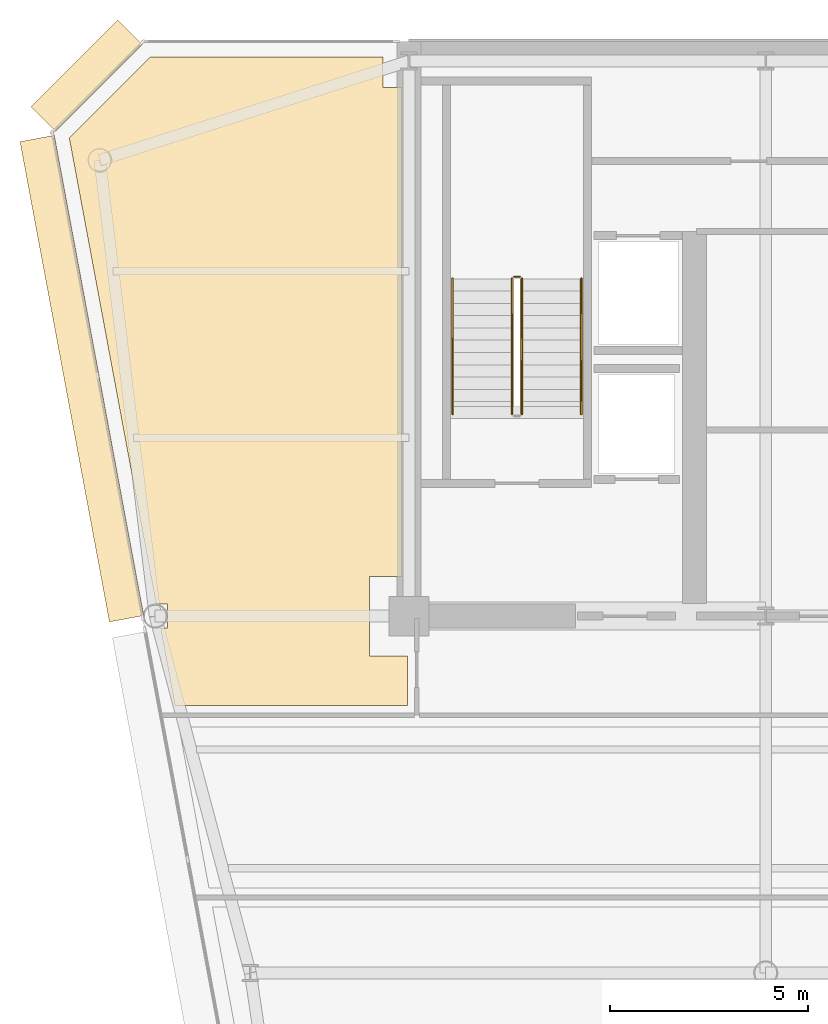
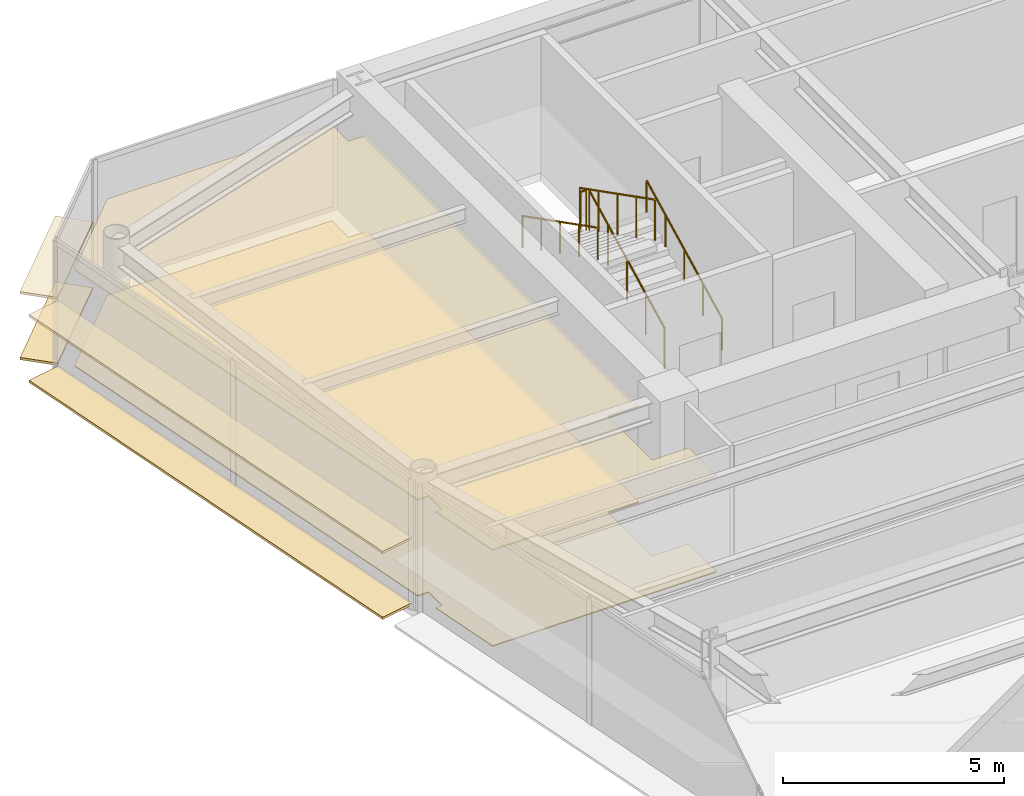
# One storey, part 16 of 18: 6 coverings, 5 railings.
"""IFC4 building model written with IfcOpenShell, lengths in metres."""

import ifcopenshell
import ifcopenshell.guid

model = None  # the IFC model being written
_history = None  # IfcOwnerHistory: only IFC2X3 demands one
_inside = {}  # id of a spatial element -> (the spatial element, [elements in it])
_under = {}  # id of a project, library or spatial element -> (it, [spatial elements below it])
_declared = {}  # id of a project -> (the project, [libraries it declares])
_typed = {}  # id of a type object -> (the type object, [elements of that type])
_made_of = {}  # id of a material, layer set ... -> (it, [elements and type objects made of it])


def new_model(schema):
    """Start an empty IFC model of exactly this schema.

    Asked for "IFC4X3", IfcOpenShell would pick the latest addendum, in which some entities
    have other attributes; the version numbers below select the first issue.
    IFC2X3 requires an IfcOwnerHistory on every rooted entity: one is made here for all.
    """
    global model, _history
    if schema == "IFC4X3":
        model = ifcopenshell.file(schema_version=(4, 3, 0, 0))
    else:
        model = ifcopenshell.file(schema=schema)
    _inside.clear()
    _under.clear()
    _declared.clear()
    _typed.clear()
    _made_of.clear()
    _history = None
    if model.schema == "IFC2X3":
        org = make("IfcOrganization", Name="unknown")
        user = make(
            "IfcPersonAndOrganization",
            ThePerson=make("IfcPerson", FamilyName="unknown"),
            TheOrganization=org,
        )
        app = make(
            "IfcApplication",
            ApplicationDeveloper=org,
            Version="unknown",
            ApplicationFullName="unknown",
            ApplicationIdentifier="unknown",
        )
        _history = make(
            "IfcOwnerHistory",
            OwningUser=user,
            OwningApplication=app,
            ChangeAction="ADDED",
            CreationDate=0,
        )
    return model


def make(cls, **values):
    """One entity of the class cls with the attributes given. An attribute that is None is left unset."""
    return model.create_entity(
        cls, **{name: value for name, value in values.items() if value is not None}
    )


def rooted(cls, **values):
    """An entity with a GlobalId (a new one), such as an element, a storey or a relation."""
    return make(cls, GlobalId=ifcopenshell.guid.new(), OwnerHistory=_history, **values)


def si_unit(unit_type, name, prefix=None):
    """IfcSIUnit, for example si_unit("LENGTHUNIT", "METRE", prefix="MILLI")."""
    return make("IfcSIUnit", UnitType=unit_type, Prefix=prefix, Name=name)


def assignment(units):
    """IfcUnitAssignment: the units of a project."""
    return None if units is None else make("IfcUnitAssignment", Units=units)


def point(xyz):
    """IfcCartesianPoint."""
    return None if xyz is None else make("IfcCartesianPoint", Coordinates=xyz)


def direction(xyz):
    """IfcDirection."""
    return None if xyz is None else make("IfcDirection", DirectionRatios=xyz)


def frame(location, z_axis=None, x_axis=None):
    """IfcAxis2Placement3D, a coordinate frame: its origin and axes. An axis left out is left unset."""
    return make(
        "IfcAxis2Placement3D",
        Location=point(location),
        Axis=direction(z_axis),
        RefDirection=direction(x_axis),
    )


def frame_2d(location, x_axis=None):
    """IfcAxis2Placement2D, a coordinate frame in the plane: its origin and x axis."""
    return make(
        "IfcAxis2Placement2D", Location=point(location), RefDirection=direction(x_axis)
    )


def origin():
    """The frame at (0, 0, 0) with its axes left unset."""
    return frame((0.0, 0.0, 0.0))


def origin_2d():
    """The frame at (0, 0) in the plane with its x axis left unset."""
    return frame_2d((0.0, 0.0))


def place(relative_to, where):
    """IfcLocalPlacement: puts the frame where relative to a parent placement (None: the world)."""
    return make(
        "IfcLocalPlacement", PlacementRelTo=relative_to, RelativePlacement=where
    )


def context(
    kind, dimensions, precision=None, world=None, true_north=None, identifier=None
):
    """IfcGeometricRepresentationContext, for example the 3D "Model" context."""
    return make(
        "IfcGeometricRepresentationContext",
        ContextIdentifier=identifier,
        ContextType=kind,
        CoordinateSpaceDimension=dimensions,
        Precision=precision,
        WorldCoordinateSystem=world,
        TrueNorth=true_north,
    )


def subcontext(parent, identifier, kind, view, scale=None):
    """IfcGeometricRepresentationSubContext, for example "Body" below "Model"."""
    return make(
        "IfcGeometricRepresentationSubContext",
        ContextIdentifier=identifier,
        ContextType=kind,
        ParentContext=parent,
        TargetScale=scale,
        TargetView=view,
    )


def project(units=None, contexts=None):
    """IfcProject with its units and contexts."""
    return rooted(
        "IfcProject",
        Name="project",
        RepresentationContexts=contexts,
        UnitsInContext=assignment(units),
    )


def spatial(cls, under=None, at=None, **own):
    """A site, building, storey or space (cls), placed at a placement, below another one or the project."""
    s = rooted(cls, ObjectPlacement=at, **own)
    if under is not None:
        _under.setdefault(under.id(), (under, []))[1].append(s)
    return s


def polyline(points):
    """IfcPolyline through the points."""
    return make("IfcPolyline", Points=[point(p) for p in points])


def profile(cls, at=None, kind="AREA", **sizes):
    """A parametric profile (cls). Its sizes go by their IFC names, for example OverallWidth=200.0."""
    return make(cls, ProfileType=kind, Position=at, **sizes)


def rectangle(**sizes):
    """IfcRectangleProfileDef."""
    return profile("IfcRectangleProfileDef", **sizes)


def circle(**sizes):
    """IfcCircleProfileDef."""
    return profile("IfcCircleProfileDef", **sizes)


def outline(outer, holes=None, kind="AREA"):
    """IfcArbitraryClosedProfileDef: a profile drawn as a closed curve; with holes, ...WithVoids."""
    if holes is None:
        return make("IfcArbitraryClosedProfileDef", ProfileType=kind, OuterCurve=outer)
    return make(
        "IfcArbitraryProfileDefWithVoids",
        ProfileType=kind,
        OuterCurve=outer,
        InnerCurves=holes,
    )


def extrude(swept, where, along, depth):
    """IfcExtrudedAreaSolid: the profile swept, set in the frame where, extruded along a direction by depth."""
    return make(
        "IfcExtrudedAreaSolid",
        SweptArea=swept,
        Position=where,
        ExtrudedDirection=direction(along),
        Depth=depth,
    )


def shape(context_of_items, identifier, shape_type, items):
    """IfcShapeRepresentation: the items that make up one representation, for example the "Body"."""
    return make(
        "IfcShapeRepresentation",
        ContextOfItems=context_of_items,
        RepresentationIdentifier=identifier,
        RepresentationType=shape_type,
        Items=items,
    )


def source(mapping_origin, context_of_items, identifier, shape_type, items):
    """IfcRepresentationMap: a shape defined once, which mapped items show again and again."""
    return make(
        "IfcRepresentationMap",
        MappingOrigin=mapping_origin,
        MappedRepresentation=shape(context_of_items, identifier, shape_type, items),
    )


def transform(
    local_origin,
    x_axis=None,
    y_axis=None,
    z_axis=None,
    scale=None,
    scale2=None,
    scale3=None,
    uniform=True,
):
    """IfcCartesianTransformationOperator3D, or its non-uniform kind. x_axis, y_axis, z_axis: its Axis1, 2, 3."""
    if uniform:
        return make(
            "IfcCartesianTransformationOperator3D",
            Axis1=direction(x_axis),
            Axis2=direction(y_axis),
            LocalOrigin=point(local_origin),
            Scale=scale,
            Axis3=direction(z_axis),
        )
    return make(
        "IfcCartesianTransformationOperator3DnonUniform",
        Axis1=direction(x_axis),
        Axis2=direction(y_axis),
        LocalOrigin=point(local_origin),
        Scale=scale,
        Axis3=direction(z_axis),
        Scale2=scale2,
        Scale3=scale3,
    )


def mapped(mapping_source, mapping_target):
    """IfcMappedItem: shows the shape of a source again, moved by a transform."""
    return make(
        "IfcMappedItem", MappingSource=mapping_source, MappingTarget=mapping_target
    )


def material(Name=None, Category=None):
    """IfcMaterial."""
    return make("IfcMaterial", Name=Name, Category=Category)


def layer(
    of_material, thickness, ventilated=None, Name=None, Category=None, Priority=None
):
    """IfcMaterialLayer: one layer of a wall or slab, of a material (None: an air gap)."""
    return make(
        "IfcMaterialLayer",
        Material=of_material,
        LayerThickness=thickness,
        IsVentilated=ventilated,
        Name=Name,
        Category=Category,
        Priority=Priority,
    )


def layer_set(layers, Name=None):
    """IfcMaterialLayerSet."""
    return make("IfcMaterialLayerSet", MaterialLayers=layers, LayerSetName=Name)


def made_of(thing, what):
    """Note that an element or type object is made of a material, layer set ...; save() writes the relation."""
    if what is not None:
        _made_of.setdefault(what.id(), (what, []))[1].append(thing)
    return thing


def type_object(cls, material=None, **own):
    """A type object (cls), such as IfcWallType, which elements share."""
    return made_of(rooted(cls, **own), material)


def element(
    cls,
    number,
    at=None,
    inside=None,
    cuts=None,
    type_object=None,
    material=None,
    context=None,
    identifier="Body",
    shape_type=None,
    held_by="IfcProductDefinitionShape",
    body=None,
    shapes=None,
    **own,
):
    """One element of the class cls, such as IfcWall. Its Tag is "e" and its number.

    at: its placement. inside: the storey or other place that contains it. cuts: it is an
    opening in that element (IfcRelVoidsElement). A single representation is given by context,
    identifier, shape_type and body (its items); several are given by shapes. held_by: the class
    of the entity that holds the representations. save() writes the other relations.
    """
    e = rooted(cls, Tag="e%d" % number, ObjectPlacement=at, **own)
    if body is not None:
        shapes = [shape(context, identifier, shape_type, body)]
    if shapes is not None:
        e.Representation = make(held_by, Representations=shapes)
    if inside is not None:
        _inside.setdefault(inside.id(), (inside, []))[1].append(e)
    if cuts is not None:
        rooted(
            "IfcRelVoidsElement", RelatingBuildingElement=cuts, RelatedOpeningElement=e
        )
    if type_object is not None:
        _typed.setdefault(type_object.id(), (type_object, []))[1].append(e)
    return made_of(e, material)


def aggregate(whole, parts):
    """IfcRelAggregates: a whole, such as a stair, and the parts it consists of."""
    return rooted("IfcRelAggregates", RelatingObject=whole, RelatedObjects=parts)


def save(model, path):
    """Write the relations noted so far, then the file.

    IfcRelAggregates (storeys below a building ...), IfcRelContainedInSpatialStructure (elements
    in a storey), IfcRelDefinesByType, IfcRelAssociatesMaterial and IfcRelDeclares: one each for
    every whole, place, type object, material and project.
    """
    for whole, parts in _under.values():
        aggregate(whole, parts)
    for where, things in _inside.values():
        rooted(
            "IfcRelContainedInSpatialStructure",
            RelatedElements=things,
            RelatingStructure=where,
        )
    for kind, things in _typed.values():
        rooted("IfcRelDefinesByType", RelatedObjects=things, RelatingType=kind)
    for what, things in _made_of.values():
        rooted("IfcRelAssociatesMaterial", RelatedObjects=things, RelatingMaterial=what)
    for by, libraries in _declared.values():
        rooted("IfcRelDeclares", RelatingContext=by, RelatedDefinitions=libraries)
    model.write(path)


model = new_model("IFC4")

# Units and contexts
model_context = context("Model", 3, precision=1e-05, world=origin(), true_north=direction((0.0, 1.0)))
body_context = subcontext(model_context, "Body", "Model", "MODEL_VIEW")
ifc_project = project(units=[si_unit("LENGTHUNIT", "METRE"), si_unit("AREAUNIT", "SQUARE_METRE"), si_unit("VOLUMEUNIT", "CUBIC_METRE"), si_unit("PLANEANGLEUNIT", "RADIAN"), si_unit("MASSUNIT", "GRAM", prefix="KILO")], contexts=[model_context])

# Site, building, storey
site_placement = place(None, origin())
site = spatial("IfcSite", under=ifc_project, at=site_placement, CompositionType="ELEMENT")
building_placement = place(site_placement, origin())
building = spatial("IfcBuilding", under=site, at=building_placement, Name="Vaeldorn Concourse Tower", CompositionType="ELEMENT")
storey_placement = place(building_placement, frame((0.0, 0.0, 242.199951171875)))
storey = spatial("IfcBuildingStorey", under=building, at=storey_placement, Name="L62", CompositionType="ELEMENT", Elevation=242.199951171875)

# Coverings
ifc_material_1 = material(Name="Acoustic Mineral Fibre Board", Category="gypsum")
ifc_layer_1 = layer(ifc_material_1, 0.0400390625)
ifc_layer_set_1 = layer_set([ifc_layer_1], Name="Acoustic Mineral Fibre Board")
covering_type_1 = type_object("IfcCoveringType", Name="COV-CEIL-ACOUSTIC", PredefinedType="CEILING", material=ifc_layer_set_1)
covering_1_placement = place(storey_placement, frame((0.0, 0.0, 2.650146484375)))
element("IfcCovering", 1, at=covering_1_placement, inside=storey, type_object=covering_type_1, Name="Suspended Acoustic Ceiling L62-3", PredefinedType="CEILING", context=body_context, shape_type="SweptSolid", body=[
    extrude(outline(polyline([(7.4658203125, 50.60009765625), (13.340087890625, 50.60009765625), (13.340087890625, 49.840087890625), (13.820068359375, 49.840087890625), (13.820068359375, 37.5), (13.0, 37.5), (13.0, 35.5), (13.9599609375, 35.5), (13.9599609375, 34.239990234375), (8.099365234375, 34.239990234375), (7.831298828125, 35.679931640625), (7.831298828125, 35.679931640625), (7.7353515625, 36.195068359375), (7.905029296875, 36.195068359375), (7.905029296875, 36.804931640625), (7.621826171875, 36.804931640625), (5.431884765625, 48.566162109375), (7.4658203125, 50.60009765625)])), origin(), (0.0, 0.0, 1.0), 0.039794921875),
])
ifc_material_2 = material(Name="Honed Limestone Terrazzo Flooring", Category="masonry")
ifc_layer_2 = layer(ifc_material_2, 0.0400390625)
ifc_layer_set_2 = layer_set([ifc_layer_2], Name="Honed Limestone Terrazzo Flooring")
covering_type_2 = type_object("IfcCoveringType", Name="COV-FLOOR-STONE", PredefinedType="FLOORING", material=ifc_layer_set_2)
covering_2_placement = place(storey_placement, origin())
element("IfcCovering", 2, at=covering_2_placement, inside=storey, type_object=covering_type_2, Name="Floor Finish Covering L62-3", PredefinedType="FLOORING", context=body_context, shape_type="SweptSolid", body=[
    extrude(outline(polyline([(7.4658203125, 50.60009765625), (13.340087890625, 50.60009765625), (13.340087890625, 49.840087890625), (13.820068359375, 49.840087890625), (13.820068359375, 37.5), (13.0, 37.5), (13.0, 35.5), (13.9599609375, 35.5), (13.9599609375, 34.239990234375), (8.099365234375, 34.239990234375), (7.831298828125, 35.679931640625), (7.831298828125, 35.679931640625), (7.7353515625, 36.195068359375), (7.905029296875, 36.195068359375), (7.905029296875, 36.804931640625), (7.621826171875, 36.804931640625), (5.431884765625, 48.566162109375), (7.4658203125, 50.60009765625)])), origin(), (0.0, 0.0, 1.0), 0.030029296875),
])

# Railings
ifc_material_3 = material(Name="Anodised Bronze Aluminium", Category="aluminium")
railing_type_1 = type_object("IfcRailingType", Name="RL-STAIR-GUARD", PredefinedType="GUARDRAIL", material=ifc_material_3)
railing_1_placement = place(storey_placement, frame((16.85009765625, 41.60009765625, 0.158447265625)))
element("IfcRailing", 3, at=railing_1_placement, inside=storey, type_object=railing_type_1, Name="L62 ST-1 stair guard 1", PredefinedType="GUARDRAIL", context=body_context, shape_type="SweptSolid", body=[
    extrude(circle(Radius=0.02392578125, at=origin_2d()), frame((0.0, 0.0, 1.1259765625), z_axis=(0.0, 0.890555807335, 0.454873997962), x_axis=(-1.0, 0.0, 0.0)), (0.0, 0.0, 1.0), 3.828857421875),
    extrude(circle(Radius=0.02099609375, at=origin_2d()), origin(), (0.0, 0.0, 1.0), 1.101806640625),
    extrude(circle(Radius=0.02099609375, at=origin_2d()), frame((0.0, 0.8525390625, 0.435546875)), (0.0, 0.0, 1.0), 1.101806640625),
    extrude(circle(Radius=0.02099609375, at=origin_2d()), frame((0.0, 1.705078125, 0.870849609375)), (0.0, 0.0, 1.0), 1.101806640625),
    extrude(circle(Radius=0.02099609375, at=origin_2d()), frame((0.0, 2.557373046875, 1.30615234375)), (0.0, 0.0, 1.0), 1.101806640625),
    extrude(circle(Radius=0.02099609375, at=origin_2d()), frame((0.0, 3.409912109375, 1.74169921875)), (0.0, 0.0, 1.0), 1.101806640625),
])
railing_2_placement = place(storey_placement, frame((16.800048828125, 45.06005859375, 1.900146484375)))
element("IfcRailing", 4, at=railing_2_placement, inside=storey, type_object=railing_type_1, Name="L62 ST-1 stair guard 2", PredefinedType="GUARDRAIL", context=body_context, shape_type="SweptSolid", body=[
    extrude(circle(Radius=0.02392578125, at=origin_2d()), frame((0.0, 0.0, 1.1259765625), z_axis=(-1.0, 0.0, 0.0), x_axis=(0.0, -1.0, 0.0)), (0.0, 0.0, 1.0), 0.150146484375),
    extrude(circle(Radius=0.02099609375, at=origin_2d()), origin(), (0.0, 0.0, 1.0), 1.101806640625),
    extrude(circle(Radius=0.02099609375, at=origin_2d()), frame((-0.150146484375, 0.0, 0.0)), (0.0, 0.0, 1.0), 1.101806640625),
])
railing_3_placement = place(storey_placement, frame((16.60009765625, 45.010009765625, 2.058349609375)))
element("IfcRailing", 5, at=railing_3_placement, inside=storey, type_object=railing_type_1, Name="L62 ST-1 stair guard 3", PredefinedType="GUARDRAIL", context=body_context, shape_type="SweptSolid", body=[
    extrude(circle(Radius=0.02392578125, at=origin_2d()), frame((0.0, 0.0, 1.1259765625), z_axis=(0.0, -0.890555807335, 0.454873997962), x_axis=(1.0, 0.0, 0.0)), (0.0, 0.0, 1.0), 3.828857421875),
    extrude(circle(Radius=0.02099609375, at=origin_2d()), origin(), (0.0, 0.0, 1.0), 1.101806640625),
    extrude(circle(Radius=0.02099609375, at=origin_2d()), frame((0.0, -0.8525390625, 0.435546875)), (0.0, 0.0, 1.0), 1.101806640625),
    extrude(circle(Radius=0.02099609375, at=origin_2d()), frame((0.0, -1.705078125, 0.870849609375)), (0.0, 0.0, 1.0), 1.101806640625),
    extrude(circle(Radius=0.02099609375, at=origin_2d()), frame((0.0, -2.557373046875, 1.30615234375)), (0.0, 0.0, 1.0), 1.101806640625),
    extrude(circle(Radius=0.02099609375, at=origin_2d()), frame((0.0, -3.409912109375, 1.74169921875)), (0.0, 0.0, 1.0), 1.101806640625),
])
railing_type_2 = type_object("IfcRailingType", Name="RL-STAIR-HANDRAIL", PredefinedType="HANDRAIL", material=ifc_material_3)
railing_4_placement = place(storey_placement, frame((18.35009765625, 41.60009765625, 0.158447265625)))
element("IfcRailing", 6, at=railing_4_placement, inside=storey, type_object=railing_type_2, Name="L62 ST-1 stair handrail 1", PredefinedType="HANDRAIL", context=body_context, shape_type="SweptSolid", body=[
    extrude(circle(Radius=0.02392578125, at=origin_2d()), frame((0.0, 0.0, 0.8759765625), z_axis=(0.0, 0.890555807335, 0.454873997962), x_axis=(-1.0, 0.0, 0.0)), (0.0, 0.0, 1.0), 3.828857421875),
    extrude(circle(Radius=0.02099609375, at=origin_2d()), origin(), (0.0, 0.0, 1.0), 0.851806640625),
    extrude(circle(Radius=0.02099609375, at=origin_2d()), frame((0.0, 0.8525390625, 0.435546875)), (0.0, 0.0, 1.0), 0.851806640625),
    extrude(circle(Radius=0.02099609375, at=origin_2d()), frame((0.0, 1.705078125, 0.870849609375)), (0.0, 0.0, 1.0), 0.851806640625),
    extrude(circle(Radius=0.02099609375, at=origin_2d()), frame((0.0, 2.557373046875, 1.30615234375)), (0.0, 0.0, 1.0), 0.851806640625),
    extrude(circle(Radius=0.02099609375, at=origin_2d()), frame((0.0, 3.409912109375, 1.74169921875)), (0.0, 0.0, 1.0), 0.851806640625),
])
railing_5_placement = place(storey_placement, frame((15.10009765625, 45.010009765625, 2.058349609375)))
element("IfcRailing", 7, at=railing_5_placement, inside=storey, type_object=railing_type_2, Name="L62 ST-1 stair handrail 2", PredefinedType="HANDRAIL", context=body_context, shape_type="SweptSolid", body=[
    extrude(circle(Radius=0.02392578125, at=origin_2d()), frame((0.0, 0.0, 0.8759765625), z_axis=(0.0, -0.890555807335, 0.454873997962), x_axis=(1.0, 0.0, 0.0)), (0.0, 0.0, 1.0), 3.828857421875),
    extrude(circle(Radius=0.02099609375, at=origin_2d()), origin(), (0.0, 0.0, 1.0), 0.851806640625),
    extrude(circle(Radius=0.02099609375, at=origin_2d()), frame((0.0, -0.8525390625, 0.435546875)), (0.0, 0.0, 1.0), 0.851806640625),
    extrude(circle(Radius=0.02099609375, at=origin_2d()), frame((0.0, -1.705078125, 0.870849609375)), (0.0, 0.0, 1.0), 0.851806640625),
    extrude(circle(Radius=0.02099609375, at=origin_2d()), frame((0.0, -2.557373046875, 1.30615234375)), (0.0, 0.0, 1.0), 0.851806640625),
    extrude(circle(Radius=0.02099609375, at=origin_2d()), frame((0.0, -3.409912109375, 1.74169921875)), (0.0, 0.0, 1.0), 0.851806640625),
])

# Coverings
ifc_layer_3 = layer(ifc_material_3, 0.06494140625)
ifc_layer_set_3 = layer_set([ifc_layer_3], Name="Anodised Bronze Aluminium")
covering_type_3 = type_object("IfcCoveringType", Name="SD-BRONZE-SUNSHADE", PredefinedType="USERDEFINED", material=ifc_layer_set_3)
shared_shape_1 = source(origin(), body_context, "Body", "SweptSolid", [
    extrude(rectangle(XDim=3.0927734375, YDim=0.8798828125, at=origin_2d()), origin(), (0.0, 0.0, 1.0), 0.06494140625),
])
for number, where, z_axis, x_axis, name in (
    (8, (5.8671875, 50.1328125, 0.047607421875), (0.0, 0.0, 1.0), (-0.707106781187, -0.707106781187, 0.0), "Horizontal Bronze Sunshade L62-E10.1.1"),
    (9, (5.8671875, 50.1328125, 1.86767578125), (0.0, 0.0, 1.0), (-0.707106781187, -0.707106781187, 0.0), "Horizontal Bronze Sunshade L62-E10.1.2"),
):
    element("IfcCovering", number, at=place(storey_placement, frame(where, z_axis=z_axis, x_axis=x_axis)), inside=storey, type_object=covering_type_3, Name=name, ObjectType="SUNSHADE", PredefinedType="USERDEFINED", context=body_context, shape_type="MappedRepresentation", body=[
        mapped(shared_shape_1, transform((0.0, 0.0, 0.0), scale=1.0)),
    ])
shared_shape_2 = source(origin(), body_context, "Body", "SweptSolid", [
    extrude(rectangle(XDim=12.322509765625, YDim=0.8798828125, at=origin_2d()), origin(), (0.0, 0.0, 1.0), 0.06494140625),
])
for number, where, z_axis, x_axis, name in (
    (10, (5.749267578125, 42.490966796875, 0.047607421875), (0.0, 0.0, 1.0), (0.183059191151, -0.983101893262, 0.0), "Horizontal Bronze Sunshade L62-E11.1.1"),
    (11, (5.749267578125, 42.490966796875, 1.86767578125), (0.0, 0.0, 1.0), (0.183059191151, -0.983101893262, 0.0), "Horizontal Bronze Sunshade L62-E11.1.2"),
):
    element("IfcCovering", number, at=place(storey_placement, frame(where, z_axis=z_axis, x_axis=x_axis)), inside=storey, type_object=covering_type_3, Name=name, ObjectType="SUNSHADE", PredefinedType="USERDEFINED", context=body_context, shape_type="MappedRepresentation", body=[
        mapped(shared_shape_2, transform((0.0, 0.0, 0.0), scale=1.0)),
    ])

save(model, "model.ifc")
